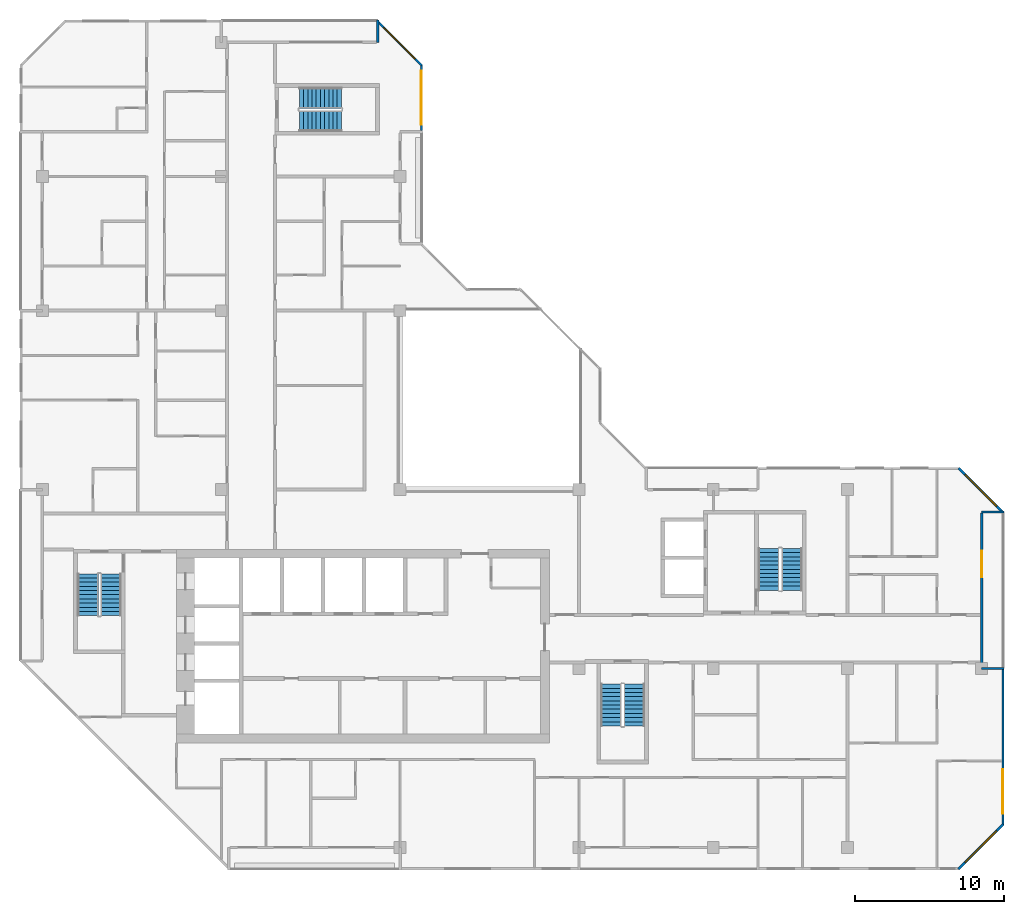
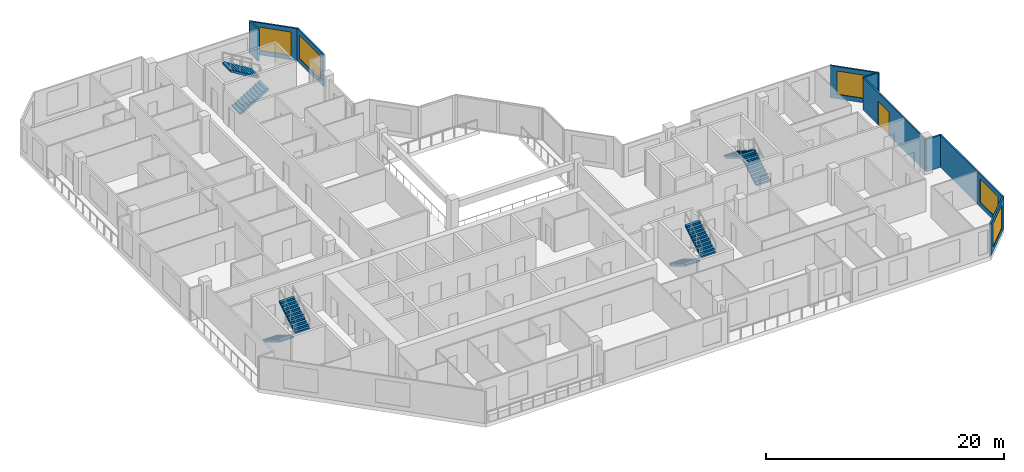
# One storey, part 11 of 13: 9 walls, 8 stair flights, 5 windows, 1 door, 6 openings, 4 elements without a shape of their own.
"""IFC4 building model written with IfcOpenShell, lengths in metres."""

from ifc_helpers import new_model, si_unit, direction, frame, frame_2d, origin, place, context, subcontext, project, spatial, polyline, rectangle, outline, extrude, material, layer, layer_set, type_object, element, fill, aggregate, save


model = new_model("IFC4")

# Units and contexts
model_context = context("Model", 3, precision=1e-05, world=origin(), true_north=direction((0.0, 1.0)))
body_context = subcontext(model_context, "Body", "Model", "MODEL_VIEW")
ifc_project = project(units=[si_unit("LENGTHUNIT", "METRE"), si_unit("AREAUNIT", "SQUARE_METRE"), si_unit("VOLUMEUNIT", "CUBIC_METRE"), si_unit("PLANEANGLEUNIT", "RADIAN"), si_unit("MASSUNIT", "GRAM", prefix="KILO")], contexts=[model_context])

# Site, building, storey
site_placement = place(None, origin())
site = spatial("IfcSite", under=ifc_project, at=site_placement, CompositionType="ELEMENT")
building_placement = place(site_placement, origin())
building = spatial("IfcBuilding", under=site, at=building_placement, Name="Chenar Terraces", CompositionType="ELEMENT")
storey_placement = place(building_placement, frame((0.0, 0.0, 318.39990234375)))
storey = spatial("IfcBuildingStorey", under=building, at=storey_placement, Name="L75", CompositionType="ELEMENT", Elevation=318.39990234375)

# Wall, opening, window
ifc_material_1 = material(Name="Aluminium framed glazing", Category="aluminium")
ifc_layer_1 = layer(ifc_material_1, 0.14990234375)
ifc_layer_set_1 = layer_set([ifc_layer_1], Name="Aluminium framed glazing")
wall_type_1 = type_object("IfcWallType", Name="Glazed flush facade wall 150", PredefinedType="SOLIDWALL", material=ifc_layer_set_1)
wall_1_placement = place(storey_placement, frame((25.425048828125, 48.074951171875, 0.0), z_axis=(0.0, 0.0, 1.0), x_axis=(0.0, 1.0, 0.0)))
wall_1 = element("IfcWall", 1, at=wall_1_placement, inside=storey, type_object=wall_type_1, Name="Glazed flush facade wall", PredefinedType="SOLIDWALL", context=body_context, shape_type="SweptSolid", body=[
    extrude(rectangle(XDim=4.425048828125, YDim=0.14990234375, at=frame_2d((2.21240234375, 0.0))), origin(), (0.0, 0.0, 1.0), 3.300048828125),
])
opening_1_placement = place(wall_1_placement, frame((0.41259765625, 0.0, 0.449951171875)))
opening_1 = element("IfcOpeningElement", 2, at=opening_1_placement, cuts=wall_1, Name="Opening W360x240", PredefinedType="OPENING", context=body_context, shape_type="SweptSolid", body=[
    extrude(rectangle(XDim=3.60009765625, YDim=2.39990234375, at=frame_2d((1.800048828125, 1.199951171875))), frame((0.0, 0.0849609375, 0.0), z_axis=(0.0, -1.0, 0.0), x_axis=(1.0, 0.0, 0.0)), (0.0, 0.0, 1.0), 0.169921875),
])
ifc_material_2 = material(Name="Low emissivity double glazing, aluminium frame", Category="aluminium")
window_type_1 = type_object("IfcWindowType", Name="Fixed light 3600 x 2400", PartitioningType="SINGLE_PANEL", PredefinedType="WINDOW", material=ifc_material_2)
window_1_placement = place(opening_1_placement, origin())
window_1 = element("IfcWindow", 3, at=window_1_placement, inside=storey, type_object=window_type_1, Name="Window", OverallHeight=2.39990234375, OverallWidth=3.60009765625, PartitioningType="SINGLE_PANEL", PredefinedType="WINDOW", context=body_context, shape_type="SweptSolid", body=[
    extrude(rectangle(XDim=3.60009765625, YDim=2.39990234375, at=frame_2d((1.800048828125, 1.199951171875))), frame((0.0, 0.030029296875, 0.0), z_axis=(0.0, -1.0, 0.0), x_axis=(1.0, 0.0, 0.0)), (0.0, 0.0, 1.0), 0.06005859375),
])
fill(opening_1, window_1)

wall_2_placement = place(storey_placement, frame((64.425048828125, 1.5, 0.0), z_axis=(0.0, 0.0, 1.0), x_axis=(0.0, 1.0, 0.0)))
wall_2 = element("IfcWall", 4, at=wall_2_placement, inside=storey, type_object=wall_type_1, Name="Glazed flush facade wall", PredefinedType="SOLIDWALL", context=body_context, shape_type="SweptSolid", body=[
    extrude(rectangle(XDim=10.425048828125, YDim=0.14990234375, at=frame_2d((5.21240234375, 0.0))), origin(), (0.0, 0.0, 1.0), 3.300048828125),
])
opening_2_placement = place(wall_2_placement, frame((0.75, 0.0, 0.449951171875)))
opening_2 = element("IfcOpeningElement", 5, at=opening_2_placement, cuts=wall_2, Name="Opening W300x240", PredefinedType="OPENING", context=body_context, shape_type="SweptSolid", body=[
    extrude(rectangle(XDim=3.0, YDim=2.39990234375, at=frame_2d((1.5, 1.199951171875))), frame((0.0, 0.0849609375, 0.0), z_axis=(0.0, -1.0, 0.0), x_axis=(1.0, 0.0, 0.0)), (0.0, 0.0, 1.0), 0.169921875),
])
ifc_material_3 = material(Name="Low emissivity double glazing, aluminium frame", Category="aluminium")
window_type_2 = type_object("IfcWindowType", Name="Fixed light 3000 x 2400", PartitioningType="SINGLE_PANEL", PredefinedType="WINDOW", material=ifc_material_3)
window_2_placement = place(opening_2_placement, origin())
window_2 = element("IfcWindow", 6, at=window_2_placement, inside=storey, type_object=window_type_2, Name="Window", OverallHeight=2.39990234375, OverallWidth=3.0, PartitioningType="SINGLE_PANEL", PredefinedType="WINDOW", context=body_context, shape_type="SweptSolid", body=[
    extrude(rectangle(XDim=3.0, YDim=2.39990234375, at=frame_2d((1.5, 1.199951171875))), frame((0.0, 0.030029296875, 0.0), z_axis=(0.0, -1.0, 0.0), x_axis=(1.0, 0.0, 0.0)), (0.0, 0.0, 1.0), 0.06005859375),
])
fill(opening_2, window_2)

# Wall, opening, door
ifc_material_4 = material(Name="Aluminium framed glazing", Category="aluminium")
ifc_layer_2 = layer(ifc_material_4, 0.14990234375)
ifc_layer_set_2 = layer_set([ifc_layer_2], Name="Aluminium framed glazing")
wall_type_2 = type_object("IfcWallType", Name="Glazed loggia back wall 150", PredefinedType="SOLIDWALL", material=ifc_layer_set_2)
wall_3_placement = place(storey_placement, frame((63.0, 12.074951171875, 0.0), z_axis=(0.0, 0.0, 1.0), x_axis=(0.0, 1.0, 0.0)))
wall_3 = element("IfcWall", 7, at=wall_3_placement, inside=storey, type_object=wall_type_2, Name="Glazed loggia back wall", PredefinedType="SOLIDWALL", context=body_context, shape_type="SweptSolid", body=[
    extrude(rectangle(XDim=10.35009765625, YDim=0.14990234375, at=frame_2d((5.175048828125, 0.0))), origin(), (0.0, 0.0, 1.0), 3.300048828125),
])
opening_3_placement = place(wall_3_placement, frame((6.03759765625, 0.0, 0.0)))
opening_3 = element("IfcOpeningElement", 8, at=opening_3_placement, cuts=wall_3, Name="Opening DL75-G6", PredefinedType="OPENING", context=body_context, shape_type="SweptSolid", body=[
    extrude(rectangle(XDim=1.800048828125, YDim=2.39990234375, at=frame_2d((0.89990234375, 1.199951171875))), frame((0.0, 0.0849609375, 0.0), z_axis=(0.0, -1.0, 0.0), x_axis=(1.0, 0.0, 0.0)), (0.0, 0.0, 1.0), 0.169921875),
])
ifc_material_5 = material(Name="Low emissivity double glazing, aluminium frame", Category="aluminium")
door_type = type_object("IfcDoorType", Name="Loggia glazed double door 1800 x 2400", OperationType="DOUBLE_DOOR_SINGLE_SWING", PredefinedType="DOOR", material=ifc_material_5)
door_placement = place(opening_3_placement, frame((1.800048828125, 0.0, 0.0), z_axis=(0.0, 0.0, 1.0), x_axis=(-1.0, 0.0, 0.0)))
door = element("IfcDoor", 9, at=door_placement, inside=storey, type_object=door_type, Name="Loggia glazed door", OperationType="DOUBLE_DOOR_SINGLE_SWING", OverallHeight=2.39990234375, OverallWidth=1.800048828125, PredefinedType="DOOR", context=body_context, shape_type="SweptSolid", body=[
    extrude(rectangle(XDim=1.800048828125, YDim=2.39990234375, at=frame_2d((0.89990234375, 1.199951171875))), frame((0.0, 0.02490234375, 0.0), z_axis=(0.0, -1.0, 0.0), x_axis=(1.0, 0.0, 0.0)), (0.0, 0.0, 1.0), 0.050048828125),
])
fill(opening_3, door)

# Walls
ifc_material_6 = material(Name="Terracotta cladding on insulated backing", Category="masonry")
ifc_layer_3 = layer(ifc_material_6, 0.14990234375)
ifc_layer_set_3 = layer_set([ifc_layer_3], Name="Terracotta cladding on insulated backing")
wall_type_3 = type_object("IfcWallType", Name="Loggia return wall 150", PredefinedType="SOLIDWALL", material=ifc_layer_set_3)
for number, where, z_axis, x_axis, name in (
    (10, (22.5, 55.5, 0.0), (0.0, 0.0, 1.0), (0.0, -1.0, 0.0), "Loggia return wall"),
    (11, (64.5, 12.0, 0.0), (0.0, 0.0, 1.0), (-1.0, 0.0, 0.0), "Loggia return wall"),
    (12, (64.5, 22.5, 0.0), (0.0, 0.0, 1.0), (-1.0, 0.0, 0.0), "Loggia return wall"),
):
    element("IfcWall", number, at=place(storey_placement, frame(where, z_axis=z_axis, x_axis=x_axis)), inside=storey, type_object=wall_type_3, Name=name, PredefinedType="SOLIDWALL", context=body_context, shape_type="SweptSolid", body=[
        extrude(rectangle(XDim=1.5, YDim=0.14990234375, at=frame_2d((0.75, 0.0))), origin(), (0.0, 0.0, 1.0), 3.300048828125),
    ])

# Wall, opening, window
ifc_material_7 = material(Name="Terracotta cladding on insulated backing", Category="masonry")
ifc_layer_4 = layer(ifc_material_7, 0.14990234375)
ifc_layer_set_4 = layer_set([ifc_layer_4], Name="Terracotta cladding on insulated backing")
wall_type_4 = type_object("IfcWallType", Name="Terracotta rainscreen wall 150", PredefinedType="SOLIDWALL", material=ifc_layer_set_4)
wall_4_placement = place(storey_placement, frame((25.447021484375, 52.447021484375, 0.0), z_axis=(0.0, 0.0, 1.0), x_axis=(-0.707106781187, 0.707106781187, 0.0)))
wall_4 = element("IfcWall", 13, at=wall_4_placement, inside=storey, type_object=wall_type_4, Name="Terracotta rainscreen wall", PredefinedType="SOLIDWALL", context=body_context, shape_type="SweptSolid", body=[
    extrude(rectangle(XDim=4.24267578125, YDim=0.14990234375, at=frame_2d((2.121337890625, 0.0))), origin(), (0.0, 0.0, 1.0), 3.300048828125),
])
opening_4_placement = place(wall_4_placement, frame((0.621337890625, 0.0, 0.449951171875)))
opening_4 = element("IfcOpeningElement", 14, at=opening_4_placement, cuts=wall_4, Name="Opening W300x240", PredefinedType="OPENING", context=body_context, shape_type="SweptSolid", body=[
    extrude(rectangle(XDim=3.0, YDim=2.39990234375, at=frame_2d((1.5, 1.199951171875))), frame((0.0, 0.0849609375, 0.0), z_axis=(0.0, -1.0, 0.0), x_axis=(1.0, 0.0, 0.0)), (0.0, 0.0, 1.0), 0.169921875),
])
window_3_placement = place(opening_4_placement, origin())
window_3 = element("IfcWindow", 15, at=window_3_placement, inside=storey, type_object=window_type_2, Name="Window", OverallHeight=2.39990234375, OverallWidth=3.0, PartitioningType="SINGLE_PANEL", PredefinedType="WINDOW", context=body_context, shape_type="SweptSolid", body=[
    extrude(rectangle(XDim=3.0, YDim=2.39990234375, at=frame_2d((1.5, 1.199951171875))), frame((0.0, 0.030029296875, 0.0), z_axis=(0.0, -1.0, 0.0), x_axis=(1.0, 0.0, 0.0)), (0.0, 0.0, 1.0), 0.06005859375),
])
fill(opening_4, window_3)

wall_5_placement = place(storey_placement, frame((61.447021484375, -1.447021484375, 0.0), z_axis=(0.0, 0.0, 1.0), x_axis=(0.707106781187, 0.707106781187, 0.0)))
wall_5 = element("IfcWall", 16, at=wall_5_placement, inside=storey, type_object=wall_type_4, Name="Terracotta rainscreen wall", PredefinedType="SOLIDWALL", context=body_context, shape_type="SweptSolid", body=[
    extrude(rectangle(XDim=4.24267578125, YDim=0.14990234375, at=frame_2d((2.121337890625, 0.0))), origin(), (0.0, 0.0, 1.0), 3.300048828125),
])
opening_5_placement = place(wall_5_placement, frame((0.621337890625, 0.0, 0.449951171875)))
opening_5 = element("IfcOpeningElement", 17, at=opening_5_placement, cuts=wall_5, Name="Opening W300x240", PredefinedType="OPENING", context=body_context, shape_type="SweptSolid", body=[
    extrude(rectangle(XDim=3.0, YDim=2.39990234375, at=frame_2d((1.5, 1.199951171875))), frame((0.0, 0.0849609375, 0.0), z_axis=(0.0, -1.0, 0.0), x_axis=(1.0, 0.0, 0.0)), (0.0, 0.0, 1.0), 0.169921875),
])
window_4_placement = place(opening_5_placement, origin())
window_4 = element("IfcWindow", 18, at=window_4_placement, inside=storey, type_object=window_type_2, Name="Window", OverallHeight=2.39990234375, OverallWidth=3.0, PartitioningType="SINGLE_PANEL", PredefinedType="WINDOW", context=body_context, shape_type="SweptSolid", body=[
    extrude(rectangle(XDim=3.0, YDim=2.39990234375, at=frame_2d((1.5, 1.199951171875))), frame((0.0, 0.030029296875, 0.0), z_axis=(0.0, -1.0, 0.0), x_axis=(1.0, 0.0, 0.0)), (0.0, 0.0, 1.0), 0.06005859375),
])
fill(opening_5, window_4)

wall_6_placement = place(storey_placement, frame((64.447021484375, 22.447021484375, 0.0), z_axis=(0.0, 0.0, 1.0), x_axis=(-0.707106781187, 0.707106781187, 0.0)))
wall_6 = element("IfcWall", 19, at=wall_6_placement, inside=storey, type_object=wall_type_4, Name="Terracotta rainscreen wall", PredefinedType="SOLIDWALL", context=body_context, shape_type="SweptSolid", body=[
    extrude(rectangle(XDim=4.24267578125, YDim=0.14990234375, at=frame_2d((2.121337890625, 0.0))), origin(), (0.0, 0.0, 1.0), 3.300048828125),
])
opening_6_placement = place(wall_6_placement, frame((0.621337890625, 0.0, 0.449951171875)))
opening_6 = element("IfcOpeningElement", 20, at=opening_6_placement, cuts=wall_6, Name="Opening W300x240", PredefinedType="OPENING", context=body_context, shape_type="SweptSolid", body=[
    extrude(rectangle(XDim=3.0, YDim=2.39990234375, at=frame_2d((1.5, 1.199951171875))), frame((0.0, 0.0849609375, 0.0), z_axis=(0.0, -1.0, 0.0), x_axis=(1.0, 0.0, 0.0)), (0.0, 0.0, 1.0), 0.169921875),
])
window_5_placement = place(opening_6_placement, origin())
window_5 = element("IfcWindow", 21, at=window_5_placement, inside=storey, type_object=window_type_2, Name="Window", OverallHeight=2.39990234375, OverallWidth=3.0, PartitioningType="SINGLE_PANEL", PredefinedType="WINDOW", context=body_context, shape_type="SweptSolid", body=[
    extrude(rectangle(XDim=3.0, YDim=2.39990234375, at=frame_2d((1.5, 1.199951171875))), frame((0.0, 0.030029296875, 0.0), z_axis=(0.0, -1.0, 0.0), x_axis=(1.0, 0.0, 0.0)), (0.0, 0.0, 1.0), 0.06005859375),
])
fill(opening_6, window_5)

# Stair, stair flights
ifc_material_8 = material(Name="Reinforced concrete C40/50", Category="concrete")
stair_type = type_object("IfcStairType", Name="Core stair 1400 half-turn", PredefinedType="HALF_TURN_STAIR", material=ifc_material_8)
placement = place(storey_placement, origin())
stair_1 = element("IfcStair", 22, at=placement, inside=storey, type_object=stair_type, Name="L75 Stair 1", PredefinedType="HALF_TURN_STAIR")
ifc_material_9 = material(Name="Reinforced concrete C40/50", Category="concrete")
stair_flight_type = type_object("IfcStairFlightType", Name="Core stair flight 1400", PredefinedType="STRAIGHT", material=ifc_material_9)
stair_flight_1_placement = place(storey_placement, frame((3.050048828125, 18.35009765625, 0.0), z_axis=(0.0, 0.0, 1.0), x_axis=(0.0, -1.0, 0.0)))
stair_flight_1 = element("IfcStairFlight", 23, at=stair_flight_1_placement, type_object=stair_flight_type, Name="ST1 flight 1", NumberOfRisers=11, NumberOfTreads=10, PredefinedType="STRAIGHT", RiserHeight=0.170454545, TreadLength=0.28, context=body_context, shape_type="SweptSolid", body=[
    extrude(outline(polyline([(-0.0029296875, 0.0), (-0.0029296875, 0.17041015625), (0.0, 0.17041015625), (0.280029296875, 0.17041015625), (0.280029296875, 0.3408203125), (0.56005859375, 0.3408203125), (0.56005859375, 0.511474609375), (0.840087890625, 0.511474609375), (0.840087890625, 0.681884765625), (1.1201171875, 0.681884765625), (1.1201171875, 0.852294921875), (1.39990234375, 0.852294921875), (1.39990234375, 1.022705078125), (1.679931640625, 1.022705078125), (1.679931640625, 1.193115234375), (1.9599609375, 1.193115234375), (1.9599609375, 1.363525390625), (2.239990234375, 1.363525390625), (2.239990234375, 1.5341796875), (2.52001953125, 1.5341796875), (2.52001953125, 1.70458984375), (2.800048828125, 1.70458984375), (2.802978515625, 1.70458984375), (2.802978515625, 1.529052734375), (2.800048828125, 1.529052734375), (0.288330078125, 0.0), (-0.0029296875, 0.0)])), frame((0.0, 0.699951171875, 0.0), z_axis=(0.0, -1.0, 0.0), x_axis=(1.0, 0.0, 0.0)), (0.0, 0.0, 1.0), 1.39990234375),
])
stair_flight_2_placement = place(storey_placement, frame((4.60009765625, 15.550048828125, 1.875), z_axis=(0.0, 0.0, 1.0), x_axis=(0.0, 1.0, 0.0)))
stair_flight_2 = element("IfcStairFlight", 24, at=stair_flight_2_placement, type_object=stair_flight_type, Name="ST1 flight 2", NumberOfRisers=11, NumberOfTreads=10, PredefinedType="STRAIGHT", RiserHeight=0.170454545, TreadLength=0.28, context=body_context, shape_type="SweptSolid", body=[
    extrude(outline(polyline([(-0.0029296875, 0.0), (-0.0029296875, 0.17041015625), (0.0, 0.17041015625), (0.280029296875, 0.17041015625), (0.280029296875, 0.3408203125), (0.56005859375, 0.3408203125), (0.56005859375, 0.511474609375), (0.840087890625, 0.511474609375), (0.840087890625, 0.681884765625), (1.1201171875, 0.681884765625), (1.1201171875, 0.852294921875), (1.39990234375, 0.852294921875), (1.39990234375, 1.022705078125), (1.679931640625, 1.022705078125), (1.679931640625, 1.193115234375), (1.9599609375, 1.193115234375), (1.9599609375, 1.363525390625), (2.239990234375, 1.363525390625), (2.239990234375, 1.5341796875), (2.52001953125, 1.5341796875), (2.52001953125, 1.70458984375), (2.800048828125, 1.70458984375), (2.802978515625, 1.70458984375), (2.802978515625, 1.529052734375), (2.800048828125, 1.529052734375), (0.288330078125, 0.0), (-0.0029296875, 0.0)])), frame((0.0, 0.699951171875, 0.0), z_axis=(0.0, -1.0, 0.0), x_axis=(1.0, 0.0, 0.0)), (0.0, 0.0, 1.0), 1.39990234375),
])
aggregate(stair_1, [stair_flight_1, stair_flight_2])

stair_2 = element("IfcStair", 25, at=placement, inside=storey, type_object=stair_type, Name="L75 Stair 2", PredefinedType="HALF_TURN_STAIR")
stair_flight_3_placement = place(storey_placement, frame((38.14990234375, 10.949951171875, 0.0), z_axis=(0.0, 0.0, 1.0), x_axis=(0.0, -1.0, 0.0)))
stair_flight_3 = element("IfcStairFlight", 26, at=stair_flight_3_placement, type_object=stair_flight_type, Name="ST2 flight 1", NumberOfRisers=11, NumberOfTreads=10, PredefinedType="STRAIGHT", RiserHeight=0.170454545, TreadLength=0.28, context=body_context, shape_type="SweptSolid", body=[
    extrude(outline(polyline([(-0.0029296875, 0.0), (-0.0029296875, 0.17041015625), (0.0, 0.17041015625), (0.280029296875, 0.17041015625), (0.280029296875, 0.3408203125), (0.56005859375, 0.3408203125), (0.56005859375, 0.511474609375), (0.840087890625, 0.511474609375), (0.840087890625, 0.681884765625), (1.1201171875, 0.681884765625), (1.1201171875, 0.852294921875), (1.39990234375, 0.852294921875), (1.39990234375, 1.022705078125), (1.679931640625, 1.022705078125), (1.679931640625, 1.193115234375), (1.9599609375, 1.193115234375), (1.9599609375, 1.363525390625), (2.239990234375, 1.363525390625), (2.239990234375, 1.5341796875), (2.52001953125, 1.5341796875), (2.52001953125, 1.70458984375), (2.800048828125, 1.70458984375), (2.802978515625, 1.70458984375), (2.802978515625, 1.529052734375), (2.800048828125, 1.529052734375), (0.288330078125, 0.0), (-0.0029296875, 0.0)])), frame((0.0, 0.699951171875, 0.0), z_axis=(0.0, -1.0, 0.0), x_axis=(1.0, 0.0, 0.0)), (0.0, 0.0, 1.0), 1.39990234375),
])
stair_flight_4_placement = place(storey_placement, frame((39.699951171875, 8.14990234375, 1.875), z_axis=(0.0, 0.0, 1.0), x_axis=(0.0, 1.0, 0.0)))
stair_flight_4 = element("IfcStairFlight", 27, at=stair_flight_4_placement, type_object=stair_flight_type, Name="ST2 flight 2", NumberOfRisers=11, NumberOfTreads=10, PredefinedType="STRAIGHT", RiserHeight=0.170454545, TreadLength=0.28, context=body_context, shape_type="SweptSolid", body=[
    extrude(outline(polyline([(-0.0029296875, 0.0), (-0.0029296875, 0.17041015625), (0.0, 0.17041015625), (0.280029296875, 0.17041015625), (0.280029296875, 0.3408203125), (0.56005859375, 0.3408203125), (0.56005859375, 0.511474609375), (0.840087890625, 0.511474609375), (0.840087890625, 0.681884765625), (1.1201171875, 0.681884765625), (1.1201171875, 0.852294921875), (1.39990234375, 0.852294921875), (1.39990234375, 1.022705078125), (1.679931640625, 1.022705078125), (1.679931640625, 1.193115234375), (1.9599609375, 1.193115234375), (1.9599609375, 1.363525390625), (2.239990234375, 1.363525390625), (2.239990234375, 1.5341796875), (2.52001953125, 1.5341796875), (2.52001953125, 1.70458984375), (2.800048828125, 1.70458984375), (2.802978515625, 1.70458984375), (2.802978515625, 1.529052734375), (2.800048828125, 1.529052734375), (0.288330078125, 0.0), (-0.0029296875, 0.0)])), frame((0.0, 0.699951171875, 0.0), z_axis=(0.0, -1.0, 0.0), x_axis=(1.0, 0.0, 0.0)), (0.0, 0.0, 1.0), 1.39990234375),
])
aggregate(stair_2, [stair_flight_3, stair_flight_4])

stair_3 = element("IfcStair", 28, at=placement, inside=storey, type_object=stair_type, Name="L75 Stair 3", PredefinedType="HALF_TURN_STAIR")
stair_flight_5_placement = place(storey_placement, frame((50.27490234375, 17.25, 0.0), z_axis=(0.0, 0.0, 1.0), x_axis=(0.0, 1.0, 0.0)))
stair_flight_5 = element("IfcStairFlight", 29, at=stair_flight_5_placement, type_object=stair_flight_type, Name="ST3 flight 1", NumberOfRisers=11, NumberOfTreads=10, PredefinedType="STRAIGHT", RiserHeight=0.170454545, TreadLength=0.28, context=body_context, shape_type="SweptSolid", body=[
    extrude(outline(polyline([(-0.0029296875, 0.0), (-0.0029296875, 0.17041015625), (0.0, 0.17041015625), (0.280029296875, 0.17041015625), (0.280029296875, 0.3408203125), (0.56005859375, 0.3408203125), (0.56005859375, 0.511474609375), (0.840087890625, 0.511474609375), (0.840087890625, 0.681884765625), (1.1201171875, 0.681884765625), (1.1201171875, 0.852294921875), (1.39990234375, 0.852294921875), (1.39990234375, 1.022705078125), (1.679931640625, 1.022705078125), (1.679931640625, 1.193115234375), (1.9599609375, 1.193115234375), (1.9599609375, 1.363525390625), (2.239990234375, 1.363525390625), (2.239990234375, 1.5341796875), (2.52001953125, 1.5341796875), (2.52001953125, 1.70458984375), (2.800048828125, 1.70458984375), (2.802978515625, 1.70458984375), (2.802978515625, 1.529052734375), (2.800048828125, 1.529052734375), (0.288330078125, 0.0), (-0.0029296875, 0.0)])), frame((0.0, 0.699951171875, 0.0), z_axis=(0.0, -1.0, 0.0), x_axis=(1.0, 0.0, 0.0)), (0.0, 0.0, 1.0), 1.39990234375),
])
stair_flight_6_placement = place(storey_placement, frame((48.72509765625, 20.050048828125, 1.875), z_axis=(0.0, 0.0, 1.0), x_axis=(0.0, -1.0, 0.0)))
stair_flight_6 = element("IfcStairFlight", 30, at=stair_flight_6_placement, type_object=stair_flight_type, Name="ST3 flight 2", NumberOfRisers=11, NumberOfTreads=10, PredefinedType="STRAIGHT", RiserHeight=0.170454545, TreadLength=0.28, context=body_context, shape_type="SweptSolid", body=[
    extrude(outline(polyline([(-0.0029296875, 0.0), (-0.0029296875, 0.17041015625), (0.0, 0.17041015625), (0.280029296875, 0.17041015625), (0.280029296875, 0.3408203125), (0.56005859375, 0.3408203125), (0.56005859375, 0.511474609375), (0.840087890625, 0.511474609375), (0.840087890625, 0.681884765625), (1.1201171875, 0.681884765625), (1.1201171875, 0.852294921875), (1.39990234375, 0.852294921875), (1.39990234375, 1.022705078125), (1.679931640625, 1.022705078125), (1.679931640625, 1.193115234375), (1.9599609375, 1.193115234375), (1.9599609375, 1.363525390625), (2.239990234375, 1.363525390625), (2.239990234375, 1.5341796875), (2.52001953125, 1.5341796875), (2.52001953125, 1.70458984375), (2.800048828125, 1.70458984375), (2.802978515625, 1.70458984375), (2.802978515625, 1.529052734375), (2.800048828125, 1.529052734375), (0.288330078125, 0.0), (-0.0029296875, 0.0)])), frame((0.0, 0.699951171875, 0.0), z_axis=(0.0, -1.0, 0.0), x_axis=(1.0, 0.0, 0.0)), (0.0, 0.0, 1.0), 1.39990234375),
])
aggregate(stair_3, [stair_flight_5, stair_flight_6])

stair_4 = element("IfcStair", 31, at=placement, inside=storey, type_object=stair_type, Name="L75 Stair 4", PredefinedType="HALF_TURN_STAIR")
stair_flight_7_placement = place(storey_placement, frame((17.25, 48.72509765625, 0.0), z_axis=(0.0, 0.0, 1.0), x_axis=(1.0, 0.0, 0.0)))
stair_flight_7 = element("IfcStairFlight", 32, at=stair_flight_7_placement, type_object=stair_flight_type, Name="ST4 flight 1", NumberOfRisers=11, NumberOfTreads=10, PredefinedType="STRAIGHT", RiserHeight=0.170454545, TreadLength=0.28, context=body_context, shape_type="SweptSolid", body=[
    extrude(outline(polyline([(-0.0029296875, 0.0), (-0.0029296875, 0.17041015625), (0.0, 0.17041015625), (0.280029296875, 0.17041015625), (0.280029296875, 0.3408203125), (0.56005859375, 0.3408203125), (0.56005859375, 0.511474609375), (0.840087890625, 0.511474609375), (0.840087890625, 0.681884765625), (1.1201171875, 0.681884765625), (1.1201171875, 0.852294921875), (1.39990234375, 0.852294921875), (1.39990234375, 1.022705078125), (1.679931640625, 1.022705078125), (1.679931640625, 1.193115234375), (1.9599609375, 1.193115234375), (1.9599609375, 1.363525390625), (2.239990234375, 1.363525390625), (2.239990234375, 1.5341796875), (2.52001953125, 1.5341796875), (2.52001953125, 1.70458984375), (2.800048828125, 1.70458984375), (2.802978515625, 1.70458984375), (2.802978515625, 1.529052734375), (2.800048828125, 1.529052734375), (0.288330078125, 0.0), (-0.0029296875, 0.0)])), frame((0.0, 0.699951171875, 0.0), z_axis=(0.0, -1.0, 0.0), x_axis=(1.0, 0.0, 0.0)), (0.0, 0.0, 1.0), 1.39990234375),
])
stair_flight_8_placement = place(storey_placement, frame((20.050048828125, 50.27490234375, 1.875), z_axis=(0.0, 0.0, 1.0), x_axis=(-1.0, 0.0, 0.0)))
stair_flight_8 = element("IfcStairFlight", 33, at=stair_flight_8_placement, type_object=stair_flight_type, Name="ST4 flight 2", NumberOfRisers=11, NumberOfTreads=10, PredefinedType="STRAIGHT", RiserHeight=0.170454545, TreadLength=0.28, context=body_context, shape_type="SweptSolid", body=[
    extrude(outline(polyline([(-0.0029296875, 0.0), (-0.0029296875, 0.17041015625), (0.0, 0.17041015625), (0.280029296875, 0.17041015625), (0.280029296875, 0.3408203125), (0.56005859375, 0.3408203125), (0.56005859375, 0.511474609375), (0.840087890625, 0.511474609375), (0.840087890625, 0.681884765625), (1.1201171875, 0.681884765625), (1.1201171875, 0.852294921875), (1.39990234375, 0.852294921875), (1.39990234375, 1.022705078125), (1.679931640625, 1.022705078125), (1.679931640625, 1.193115234375), (1.9599609375, 1.193115234375), (1.9599609375, 1.363525390625), (2.239990234375, 1.363525390625), (2.239990234375, 1.5341796875), (2.52001953125, 1.5341796875), (2.52001953125, 1.70458984375), (2.800048828125, 1.70458984375), (2.802978515625, 1.70458984375), (2.802978515625, 1.529052734375), (2.800048828125, 1.529052734375), (0.288330078125, 0.0), (-0.0029296875, 0.0)])), frame((0.0, 0.699951171875, 0.0), z_axis=(0.0, -1.0, 0.0), x_axis=(1.0, 0.0, 0.0)), (0.0, 0.0, 1.0), 1.39990234375),
])
aggregate(stair_4, [stair_flight_7, stair_flight_8])

save(model, "model.ifc")
